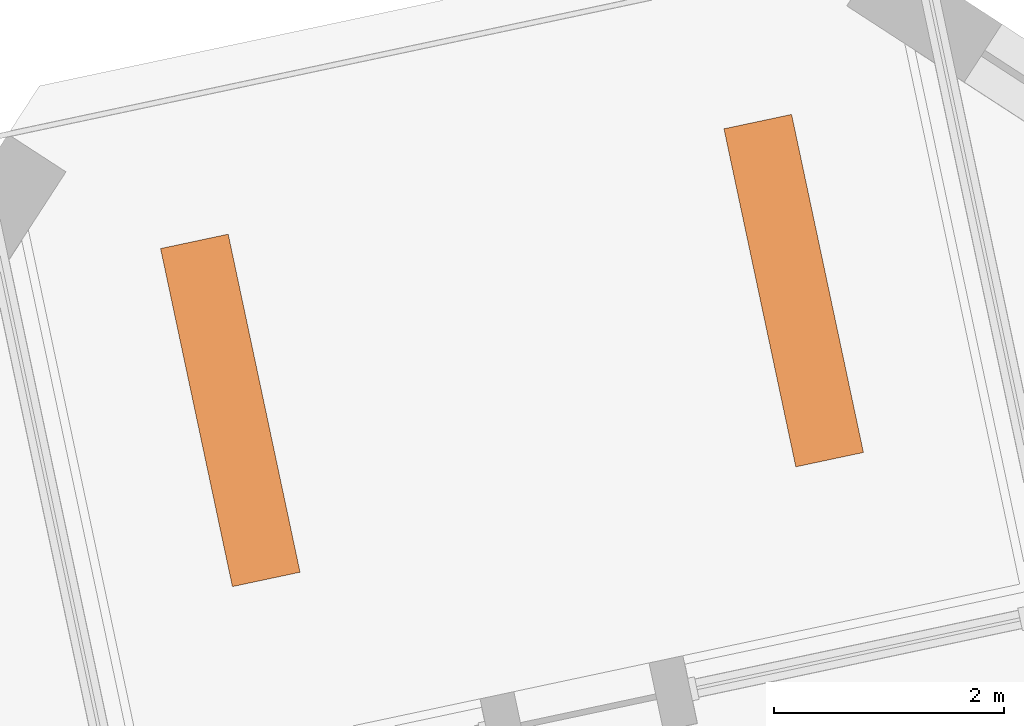
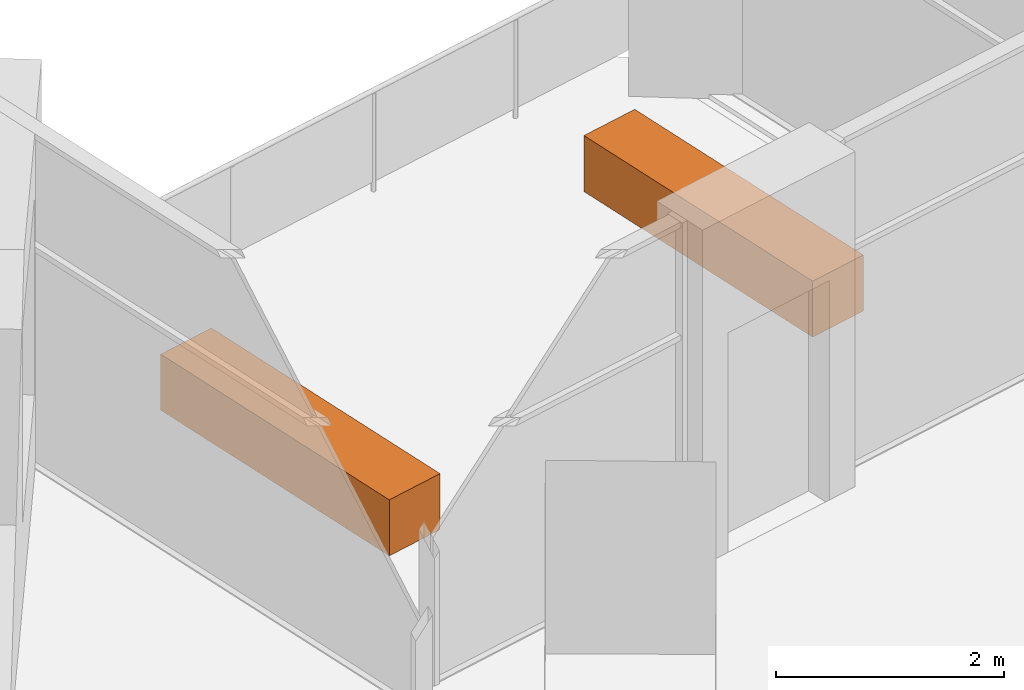
# One storey, part 12 of 12: 2 proxies.
"""IFC4 building model written with IfcOpenShell, lengths in metres."""

from ifc_helpers import new_model, si_unit, direction, frame, origin, origin_2d, place, context, subcontext, project, spatial, rectangle, extrude, element, save


model = new_model("IFC4")

# Units and contexts
model_context = context("Model", 3, precision=1e-05, world=origin(), true_north=direction((0.0, 1.0)))
body_context = subcontext(model_context, "Body", "Model", "MODEL_VIEW")
ifc_project = project(units=[si_unit("LENGTHUNIT", "METRE"), si_unit("AREAUNIT", "SQUARE_METRE"), si_unit("VOLUMEUNIT", "CUBIC_METRE"), si_unit("PLANEANGLEUNIT", "RADIAN"), si_unit("MASSUNIT", "GRAM", prefix="KILO")], contexts=[model_context])

# Site, building, storey
site_placement = place(None, origin())
site = spatial("IfcSite", under=ifc_project, at=site_placement, CompositionType="ELEMENT")
building_placement = place(site_placement, origin())
building = spatial("IfcBuilding", under=site, at=building_placement, Name="Dilmun Exchange Tower", CompositionType="ELEMENT")
storey_placement = place(building_placement, frame((0.0, 0.0, 254.89990234375)))
storey = spatial("IfcBuildingStorey", under=building, at=storey_placement, Name="L60", CompositionType="ELEMENT", Elevation=254.89990234375)

# Proxies
for number, where, z_axis, x_axis, name in (
    (1, (0.28759765625, 32.097412109375, 0.0), (0.0, 0.0, 1.0), (-0.207911690818, 0.978147600734, 0.0), "PLANTER Ghaf tree L60.1"),
    (2, (-4.60302734375, 31.057861328125, 0.0), (0.0, 0.0, 1.0), (-0.207911690818, 0.978147600734, 0.0), "PLANTER Ghaf tree L60.2"),
):
    element("IfcBuildingElementProxy", number, at=place(storey_placement, frame(where, z_axis=z_axis, x_axis=x_axis)), inside=storey, Name=name, ObjectType="PLANTER", PredefinedType="USERDEFINED", context=body_context, shape_type="SweptSolid", body=[
        extrude(rectangle(XDim=3.0, YDim=0.60009765625, at=origin_2d()), origin(), (0.0, 0.0, 1.0), 0.60009765625),
    ])

save(model, "model.ifc")
